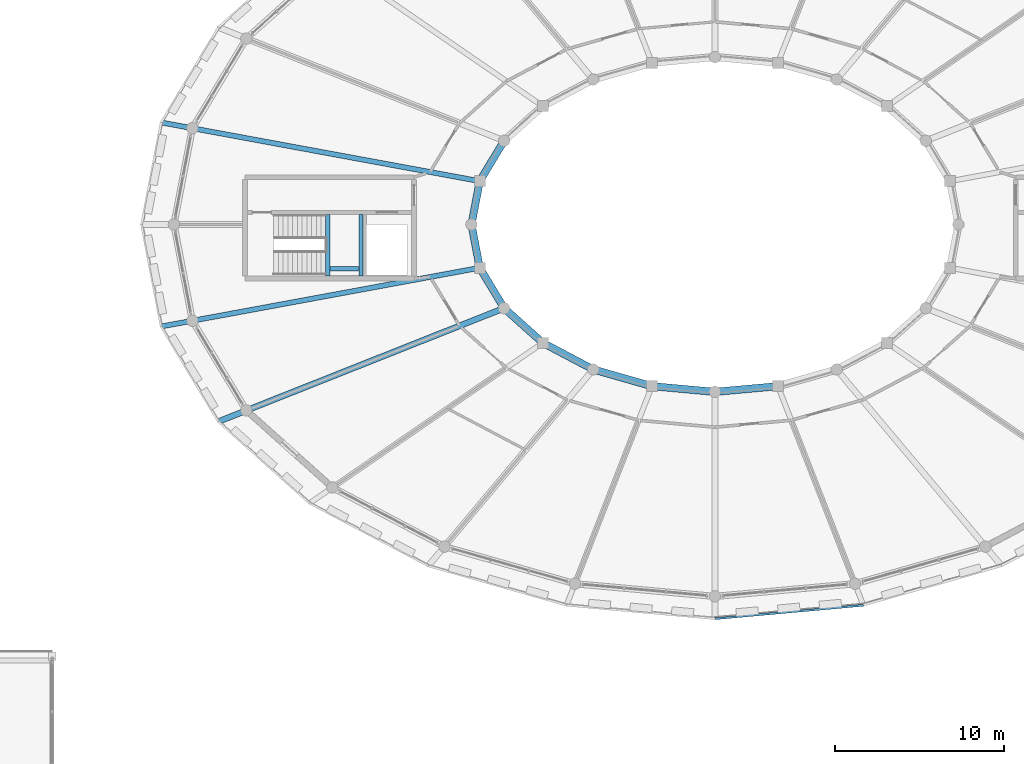
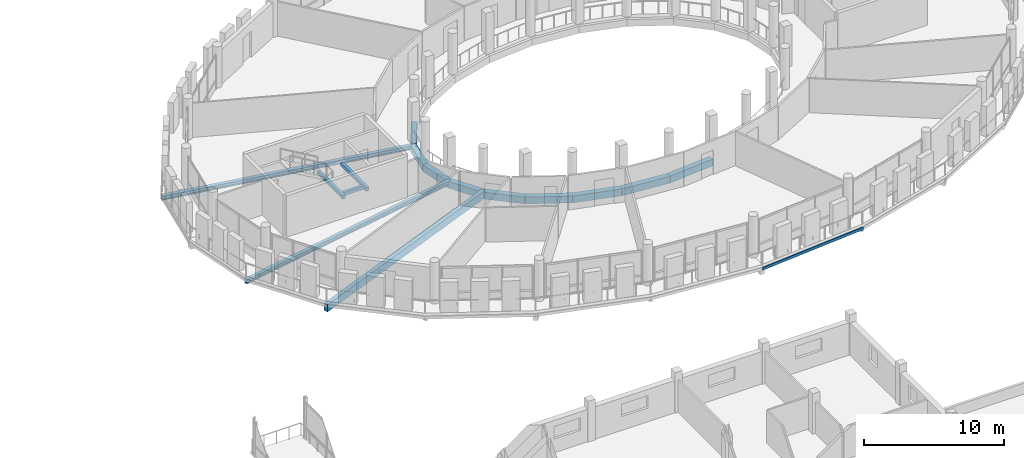
# One storey, part 46 of 128: 16 beams.
"""IFC4 building model written with IfcOpenShell, lengths in metres."""

from ifc_helpers import new_model, si_unit, direction, frame, origin, origin_2d, place, context, subcontext, project, spatial, rectangle, hollow_rectangle, i_section, extrude, material, material_profile, profile_set, type_object, element, save


model = new_model("IFC4")

# Units and contexts
model_context = context("Model", 3, precision=1e-05, world=origin(), true_north=direction((0.0, 1.0)))
body_context = subcontext(model_context, "Body", "Model", "MODEL_VIEW")
ifc_project = project(units=[si_unit("LENGTHUNIT", "METRE"), si_unit("AREAUNIT", "SQUARE_METRE"), si_unit("VOLUMEUNIT", "CUBIC_METRE"), si_unit("PLANEANGLEUNIT", "RADIAN"), si_unit("MASSUNIT", "GRAM", prefix="KILO")], contexts=[model_context])

# Site, building, storey
site_placement = place(None, origin())
site = spatial("IfcSite", under=ifc_project, at=site_placement, CompositionType="ELEMENT")
building_placement = place(site_placement, origin())
building = spatial("IfcBuilding", under=site, at=building_placement, Name="Zornivar Specialist Clinic", CompositionType="ELEMENT")
storey_placement = place(building_placement, frame((0.0, 0.0, 4.5)))
storey = spatial("IfcBuildingStorey", under=building, at=storey_placement, Name="L01", CompositionType="ELEMENT", Elevation=4.5)

# Beams
ifc_material_1 = material(Name="Concrete C30/37", Category="concrete")
ifc_material_profile_1 = material_profile(ifc_material_1, rectangle(XDim=0.25, YDim=0.300048828125, at=origin_2d()), Name="RC 250x300")
ifc_profile_set_1 = profile_set([ifc_material_profile_1], Name="Concrete C30/37")
beam_type_1 = type_object("IfcBeamType", Name="BM-LAND-250x300", PredefinedType="BEAM", material=ifc_profile_set_1)
for number, where, z_axis, x_axis, name in (
    (1, (70.699951171875, 54.5400390625, 1.6201171875), (0.0, 1.0, 0.0), (-1.0, 0.0, 0.0), "bm:stair:C3:L01:lW"),
    (2, (72.659912109375, 54.5400390625, 1.6201171875), (0.0, 1.0, 0.0), (-1.0, 0.0, 0.0), "bm:stair:C3:L01:lE"),
):
    element("IfcBeam", number, at=place(storey_placement, frame(where, z_axis=z_axis, x_axis=x_axis)), inside=storey, type_object=beam_type_1, Name=name, PredefinedType="BEAM", context=body_context, shape_type="SweptSolid", body=[
        extrude(rectangle(XDim=0.25, YDim=0.300048828125, at=origin_2d()), origin(), (0.0, 0.0, 1.0), 3.659912109375),
    ])
beam_1_placement = place(storey_placement, frame((70.8349609375, 54.97998046875, 1.6201171875), z_axis=(1.0, 0.0, 0.0), x_axis=(0.0, 1.0, 0.0)))
element("IfcBeam", 3, at=beam_1_placement, inside=storey, type_object=beam_type_1, Name="bm:stair:C3:L01:lS", PredefinedType="BEAM", context=body_context, shape_type="SweptSolid", body=[
    extrude(rectangle(XDim=0.25, YDim=0.300048828125, at=origin_2d()), origin(), (0.0, 0.0, 1.0), 1.68994140625),
])
ifc_material_2 = material(Name="Concrete C30/37", Category="concrete")
ifc_material_profile_2 = material_profile(ifc_material_2, rectangle(XDim=0.43994140625, YDim=0.60009765625, at=origin_2d()), Name="RC 440x600")
ifc_profile_set_2 = profile_set([ifc_material_profile_2], Name="Concrete C30/37")
beam_type_2 = type_object("IfcBeamType", Name="BM-RC-440x600", PredefinedType="BEAM", material=ifc_profile_set_2)
beam_2_placement = place(storey_placement, frame((81.12890625, 62.550048828125, -0.590087890625), z_axis=(-0.515873260277, -0.856664916599, 0.0), x_axis=(0.856664916599, -0.515873260277, 0.0)))
element("IfcBeam", 4, at=beam_2_placement, inside=storey, type_object=beam_type_2, Name="bm:V1:L01:inring:10", PredefinedType="BEAM", context=body_context, shape_type="SweptSolid", body=[
    extrude(rectangle(XDim=0.43994140625, YDim=0.60009765625, at=origin_2d()), origin(), (0.0, 0.0, 1.0), 2.78759765625),
])
for number, where, z_axis, x_axis, name in (
    (5, (79.69091796875, 60.162109375, -0.590087890625), (-0.188208648203, -0.982129067252, 0.0), (0.982129067252, -0.188208648203, 0.0), "bm:V1:L01:inring:11"),
    (6, (79.199951171875, 57.60009765625, -0.590087890625), (0.188208648203, -0.982129067252, 0.0), (0.982129067252, 0.188208648203, 0.0), "bm:V1:L01:inring:12"),
):
    element("IfcBeam", number, at=place(storey_placement, frame(where, z_axis=z_axis, x_axis=x_axis)), inside=storey, type_object=beam_type_2, Name=name, PredefinedType="BEAM", context=body_context, shape_type="SweptSolid", body=[
        extrude(rectangle(XDim=0.43994140625, YDim=0.60009765625, at=origin_2d()), origin(), (0.0, 0.0, 1.0), 2.608642578125),
    ])
beam_3_placement = place(storey_placement, frame((79.69091796875, 55.0380859375, -0.590087890625), z_axis=(0.515834556349, -0.856688222445, 0.0), x_axis=(0.856688222445, 0.515834556349, 0.0)))
element("IfcBeam", 7, at=beam_3_placement, inside=storey, type_object=beam_type_2, Name="bm:V1:L01:inring:13", PredefinedType="BEAM", context=body_context, shape_type="SweptSolid", body=[
    extrude(rectangle(XDim=0.43994140625, YDim=0.60009765625, at=origin_2d()), origin(), (0.0, 0.0, 1.0), 2.78759765625),
])
beam_4_placement = place(storey_placement, frame((81.12890625, 52.64990234375, -0.590087890625), z_axis=(0.744966948512, -0.667101375822, 0.0), x_axis=(0.667101375822, 0.744966948512, 0.0)))
element("IfcBeam", 8, at=beam_4_placement, inside=storey, type_object=beam_type_2, Name="bm:V1:L01:inring:14", PredefinedType="BEAM", context=body_context, shape_type="SweptSolid", body=[
    extrude(rectangle(XDim=0.43994140625, YDim=0.60009765625, at=origin_2d()), origin(), (0.0, 0.0, 1.0), 3.07275390625),
])
beam_5_placement = place(storey_placement, frame((83.41796875, 50.60009765625, -0.590087890625), z_axis=(0.884333274309, -0.466856144813, 0.0), x_axis=(0.466856144813, 0.884333274309, 0.0)))
element("IfcBeam", 9, at=beam_5_placement, inside=storey, type_object=beam_type_2, Name="bm:V1:L01:inring:15", PredefinedType="BEAM", context=body_context, shape_type="SweptSolid", body=[
    extrude(rectangle(XDim=0.43994140625, YDim=0.60009765625, at=origin_2d()), origin(), (0.0, 0.0, 1.0), 3.3720703125),
])
beam_6_placement = place(storey_placement, frame((86.39990234375, 49.02587890625, -0.590087890625), z_axis=(0.961783741221, -0.273810217345, 0.0), x_axis=(0.273810217345, 0.961783741221, 0.0)))
element("IfcBeam", 10, at=beam_6_placement, inside=storey, type_object=beam_type_2, Name="bm:V1:L01:inring:16", PredefinedType="BEAM", context=body_context, shape_type="SweptSolid", body=[
    extrude(rectangle(XDim=0.43994140625, YDim=0.60009765625, at=origin_2d()), origin(), (0.0, 0.0, 1.0), 3.611083984375),
])
beam_7_placement = place(storey_placement, frame((89.873046875, 48.037109375, -0.590087890625), z_axis=(0.995933214481, -0.090094574165, 0.0), x_axis=(0.090094574165, 0.995933214481, 0.0)))
element("IfcBeam", 11, at=beam_7_placement, inside=storey, type_object=beam_type_2, Name="bm:V1:L01:inring:17", PredefinedType="BEAM", context=body_context, shape_type="SweptSolid", body=[
    extrude(rectangle(XDim=0.43994140625, YDim=0.60009765625, at=origin_2d()), origin(), (0.0, 0.0, 1.0), 3.7421875),
])
beam_8_placement = place(storey_placement, frame((93.60009765625, 47.699951171875, -0.590087890625), z_axis=(0.995932684885, 0.090100428289, 0.0), x_axis=(-0.090100428289, 0.995932684885, 0.0)))
element("IfcBeam", 12, at=beam_8_placement, inside=storey, type_object=beam_type_2, Name="bm:V1:L01:inring:18", PredefinedType="BEAM", context=body_context, shape_type="SweptSolid", body=[
    extrude(rectangle(XDim=0.43994140625, YDim=0.60009765625, at=origin_2d()), origin(), (0.0, 0.0, 1.0), 3.741943359375),
])
ifc_material_3 = material(Name="Concrete C30/37", Category="concrete")
ifc_material_profile_3 = material_profile(ifc_material_3, rectangle(XDim=0.35009765625, YDim=0.6201171875, at=origin_2d()), Name="RC 350x620")
ifc_profile_set_3 = profile_set([ifc_material_profile_3], Name="Concrete C30/37")
beam_type_3 = type_object("IfcBeamType", Name="BM-RC-CANT-350x620", PredefinedType="BEAM", material=ifc_profile_set_3)
beam_9_placement = place(storey_placement, frame((81.12890625, 52.64990234375, -0.550048828125), z_axis=(-0.929458420314, -0.368926882873, 0.0), x_axis=(0.368926882873, -0.929458420314, 0.0)))
element("IfcBeam", 13, at=beam_9_placement, inside=storey, type_object=beam_type_3, Name="bm:V1:L01:radcant:14", PredefinedType="BEAM", context=body_context, shape_type="SweptSolid", body=[
    extrude(rectangle(XDim=0.35009765625, YDim=0.6201171875, at=origin_2d()), origin(), (0.0, 0.0, 1.0), 18.187744140625),
])
ifc_material_4 = material(Name="Steel S355J2", Category="steel")
ifc_material_profile_4 = material_profile(ifc_material_4, i_section(OverallWidth=0.300048828125, OverallDepth=0.360107421875, WebThickness=0.012451171875, FlangeThickness=0.0224609375, FilletRadius=0.027099609375, at=origin_2d()), Name="HEB 360")
ifc_profile_set_4 = profile_set([ifc_material_profile_4], Name="Steel S355J2")
beam_type_4 = type_object("IfcBeamType", Name="BM-STL-HEB360", PredefinedType="BEAM", material=ifc_profile_set_4)
for number, where, z_axis, x_axis, name in (
    (14, (79.69091796875, 60.162109375, -0.469970703125), (-0.983447695369, 0.18119224728, 0.0), (-0.18119224728, -0.983447695369, 0.0), "bm:V1:L01:radmid:11"),
    (15, (79.69091796875, 55.0380859375, -0.469970703125), (-0.983445426184, -0.181204563183, 0.0), (0.181204563183, -0.983445426184, 0.0), "bm:V1:L01:radmid:13"),
):
    element("IfcBeam", number, at=place(storey_placement, frame(where, z_axis=z_axis, x_axis=x_axis)), inside=storey, type_object=beam_type_4, Name=name, PredefinedType="BEAM", context=body_context, shape_type="SweptSolid", body=[
        extrude(i_section(OverallWidth=0.300048828125, OverallDepth=0.360107421875, WebThickness=0.012451171875, FlangeThickness=0.0224609375, FilletRadius=0.027099609375, at=origin_2d()), origin(), (0.0, 0.0, 1.0), 19.17236328125),
    ])
ifc_material_5 = material(Name="Steel S355J2", Category="steel")
ifc_material_profile_5 = material_profile(ifc_material_5, hollow_rectangle(XDim=0.1201171875, YDim=0.239990234375, WallThickness=0.008056640625, at=origin_2d()), Name="RHS 240x120x8")
ifc_profile_set_5 = profile_set([ifc_material_profile_5], Name="Steel S355J2")
beam_type_5 = type_object("IfcBeamType", Name="BM-STL-RHS240", PredefinedType="JOIST", material=ifc_profile_set_5)
beam_10_placement = place(storey_placement, frame((93.60009765625, 34.280029296875, -0.360107421875), z_axis=(0.995925380717, 0.090181129084, 0.0), x_axis=(-0.090181129084, 0.995925380717, 0.0)))
element("IfcBeam", 16, at=beam_10_placement, inside=storey, type_object=beam_type_5, Name="bm:V1:L01:balring:18", PredefinedType="JOIST", context=body_context, shape_type="SweptSolid", body=[
    extrude(hollow_rectangle(XDim=0.1201171875, YDim=0.239990234375, WallThickness=0.008056640625, at=origin_2d()), origin(), (0.0, 0.0, 1.0), 8.814697265625),
])

save(model, "model.ifc")
